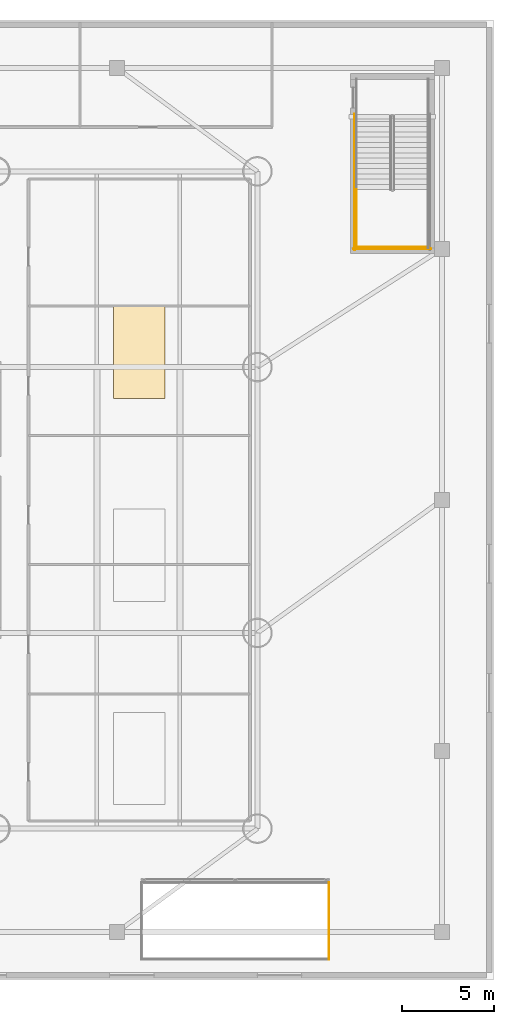
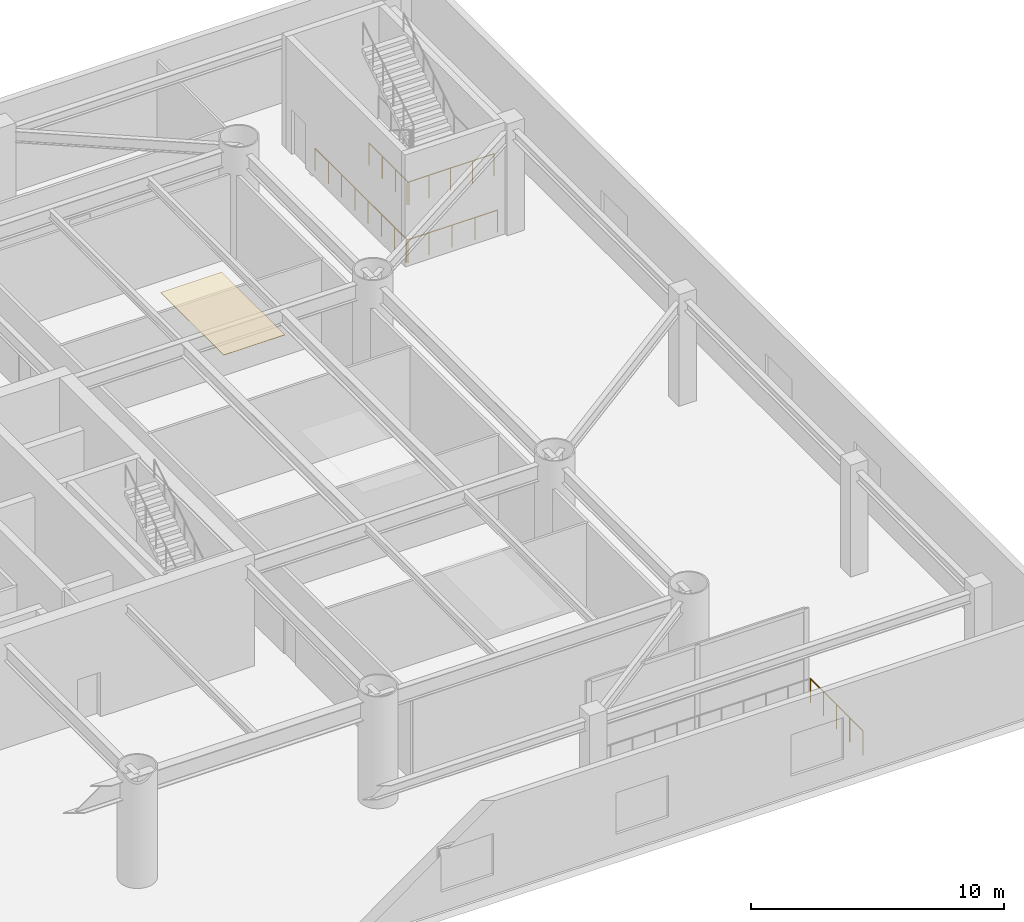
# One storey, part 15 of 16: 5 railings, 1 covering.
"""IFC4 building model written with IfcOpenShell, lengths in metres."""

from ifc_helpers import new_model, si_unit, direction, frame, origin, origin_2d, place, context, subcontext, project, spatial, polyline, circle, outline, extrude, material, layer, layer_set, type_object, element, save


model = new_model("IFC4")

# Units and contexts
model_context = context("Model", 3, precision=1e-05, world=origin(), true_north=direction((0.0, 1.0)))
body_context = subcontext(model_context, "Body", "Model", "MODEL_VIEW")
ifc_project = project(units=[si_unit("LENGTHUNIT", "METRE"), si_unit("AREAUNIT", "SQUARE_METRE"), si_unit("VOLUMEUNIT", "CUBIC_METRE"), si_unit("PLANEANGLEUNIT", "RADIAN"), si_unit("MASSUNIT", "GRAM", prefix="KILO")], contexts=[model_context])

# Site, building, storey
site_placement = place(None, origin())
site = spatial("IfcSite", under=ifc_project, at=site_placement, CompositionType="ELEMENT")
building_placement = place(site_placement, origin())
building = spatial("IfcBuilding", under=site, at=building_placement, Name="Bramvorn Convention Spire", CompositionType="ELEMENT")
storey_placement = place(building_placement, frame((0.0, 0.0, 30.0)))
storey = spatial("IfcBuildingStorey", under=building, at=storey_placement, Name="L05", CompositionType="ELEMENT", Elevation=30.0)

# Covering
ifc_material_1 = material(Name="Micro-Perforated Mineral-Fibre Acoustic Ceiling Tile", Category="gypsum")
ifc_layer = layer(ifc_material_1, 0.02001953125)
ifc_layer_set = layer_set([ifc_layer], Name="Micro-Perforated Mineral-Fibre Acoustic Ceiling Tile - CLG-ACOUSTIC-20")
covering_type = type_object("IfcCoveringType", Name="CLG-ACOUSTIC-20", PredefinedType="CEILING", material=ifc_layer_set)
covering_placement = place(storey_placement, frame((0.0, 0.0, 4.97998046875)))
element("IfcCovering", 1, at=covering_placement, inside=storey, type_object=covering_type, Name="L05 Seminar acoustic tile ceiling 3", PredefinedType="CEILING", context=body_context, shape_type="SweptSolid", body=[
    extrude(outline(polyline([(55.39990234375, 31.5), (58.199951171875, 31.5), (58.199951171875, 36.5), (55.39990234375, 36.5), (55.39990234375, 31.5)])), origin(), (0.0, 0.0, 1.0), 0.02001953125),
])

# Railings
ifc_material_2 = material(Name="Warm Bronze Perforated Metal & Glass Balustrade", Category="glass")
railing_type_1 = type_object("IfcRailingType", Name="RL-POD-BALUSTRADE-1200", PredefinedType="BALUSTRADE", material=ifc_material_2)
railing_1_placement = place(storey_placement, frame((67.080078125, 1.1201171875, 0.0)))
element("IfcRailing", 2, at=railing_1_placement, inside=storey, type_object=railing_type_1, Name="L05 SE void perimeter balustrade side 2", PredefinedType="BALUSTRADE", context=body_context, shape_type="SweptSolid", body=[
    extrude(circle(Radius=0.02392578125, at=origin_2d()), frame((0.0, 0.0, 1.17578125), z_axis=(0.0, 1.0, 0.0), x_axis=(-1.0, 0.0, 0.0)), (0.0, 0.0, 1.0), 4.159912109375),
    extrude(circle(Radius=0.02099609375, at=origin_2d()), origin(), (0.0, 0.0, 1.0), 1.15185546875),
    extrude(circle(Radius=0.02099609375, at=origin_2d()), frame((0.0, 1.0400390625, 0.0)), (0.0, 0.0, 1.0), 1.15185546875),
    extrude(circle(Radius=0.02099609375, at=origin_2d()), frame((0.0, 2.080078125, 0.0)), (0.0, 0.0, 1.0), 1.15185546875),
    extrude(circle(Radius=0.02099609375, at=origin_2d()), frame((0.0, 3.119873046875, 0.0)), (0.0, 0.0, 1.0), 1.15185546875),
    extrude(circle(Radius=0.02099609375, at=origin_2d()), frame((0.0, 4.159912109375, 0.0)), (0.0, 0.0, 1.0), 1.15185546875),
])
ifc_material_3 = material(Name="Painted Steel Balustrade & Guardrail", Category="steel")
railing_type_2 = type_object("IfcRailingType", Name="RL-STAIR-GUARD-1100", PredefinedType="GUARDRAIL", material=ifc_material_3)
railing_2_placement = place(storey_placement, frame((68.570068359375, 42.81005859375, 2.699951171875)))
element("IfcRailing", 3, at=railing_2_placement, inside=storey, type_object=railing_type_2, Name="L05 ST5 stair guard 3", PredefinedType="GUARDRAIL", context=body_context, shape_type="SweptSolid", body=[
    extrude(circle(Radius=0.02392578125, at=origin_2d()), frame((0.0, 0.0, 1.076171875), z_axis=(0.0, -1.0, 0.0), x_axis=(1.0, 0.0, 0.0)), (0.0, 0.0, 1.0), 3.16015625),
    extrude(circle(Radius=0.02099609375, at=origin_2d()), origin(), (0.0, 0.0, 1.0), 1.052001953125),
    extrude(circle(Radius=0.02099609375, at=origin_2d()), frame((0.0, -1.053466796875, 0.0)), (0.0, 0.0, 1.0), 1.052001953125),
    extrude(circle(Radius=0.02099609375, at=origin_2d()), frame((0.0, -2.106689453125, 0.0)), (0.0, 0.0, 1.0), 1.052001953125),
    extrude(circle(Radius=0.02099609375, at=origin_2d()), frame((0.0, -3.16015625, 0.0)), (0.0, 0.0, 1.0), 1.052001953125),
])
railing_3_placement = place(storey_placement, frame((68.52001953125, 39.699951171875, 2.699951171875)))
element("IfcRailing", 4, at=railing_3_placement, inside=storey, type_object=railing_type_2, Name="L05 ST5 stair guard 5", PredefinedType="GUARDRAIL", context=body_context, shape_type="SweptSolid", body=[
    extrude(circle(Radius=0.02392578125, at=origin_2d()), frame((0.0, 0.0, 1.076171875), z_axis=(1.0, 0.0, 0.0), x_axis=(0.0, 1.0, 0.0)), (0.0, 0.0, 1.0), 3.97998046875),
    extrude(circle(Radius=0.02099609375, at=origin_2d()), origin(), (0.0, 0.0, 1.0), 1.052001953125),
    extrude(circle(Radius=0.02099609375, at=origin_2d()), frame((0.9951171875, 0.0, 0.0)), (0.0, 0.0, 1.0), 1.052001953125),
    extrude(circle(Radius=0.02099609375, at=origin_2d()), frame((1.989990234375, 0.0, 0.0)), (0.0, 0.0, 1.0), 1.052001953125),
    extrude(circle(Radius=0.02099609375, at=origin_2d()), frame((2.98486328125, 0.0, 0.0)), (0.0, 0.0, 1.0), 1.052001953125),
    extrude(circle(Radius=0.02099609375, at=origin_2d()), frame((3.97998046875, 0.0, 0.0)), (0.0, 0.0, 1.0), 1.052001953125),
])
railing_4_placement = place(storey_placement, frame((68.469970703125, 46.89990234375, 0.0)))
element("IfcRailing", 5, at=railing_4_placement, inside=storey, type_object=railing_type_2, Name="L05 ST5 stair guard 10", PredefinedType="GUARDRAIL", context=body_context, shape_type="SweptSolid", body=[
    extrude(circle(Radius=0.02392578125, at=origin_2d()), frame((0.0, 0.0, 1.076171875), z_axis=(0.0, -1.0, 0.0), x_axis=(1.0, 0.0, 0.0)), (0.0, 0.0, 1.0), 7.349853515625),
    extrude(circle(Radius=0.02099609375, at=origin_2d()), origin(), (0.0, 0.0, 1.0), 1.052001953125),
    extrude(circle(Radius=0.02099609375, at=origin_2d()), frame((0.0, -1.050048828125, 0.0)), (0.0, 0.0, 1.0), 1.052001953125),
    extrude(circle(Radius=0.02099609375, at=origin_2d()), frame((0.0, -2.099853515625, 0.0)), (0.0, 0.0, 1.0), 1.052001953125),
    extrude(circle(Radius=0.02099609375, at=origin_2d()), frame((0.0, -3.14990234375, 0.0)), (0.0, 0.0, 1.0), 1.052001953125),
    extrude(circle(Radius=0.02099609375, at=origin_2d()), frame((0.0, -4.199951171875, 0.0)), (0.0, 0.0, 1.0), 1.052001953125),
    extrude(circle(Radius=0.02099609375, at=origin_2d()), frame((0.0, -5.25, 0.0)), (0.0, 0.0, 1.0), 1.052001953125),
    extrude(circle(Radius=0.02099609375, at=origin_2d()), frame((0.0, -6.2998046875, 0.0)), (0.0, 0.0, 1.0), 1.052001953125),
    extrude(circle(Radius=0.02099609375, at=origin_2d()), frame((0.0, -7.349853515625, 0.0)), (0.0, 0.0, 1.0), 1.052001953125),
])
railing_5_placement = place(storey_placement, frame((68.419921875, 39.60009765625, 0.0)))
element("IfcRailing", 6, at=railing_5_placement, inside=storey, type_object=railing_type_2, Name="L05 ST5 stair guard 12", PredefinedType="GUARDRAIL", context=body_context, shape_type="SweptSolid", body=[
    extrude(circle(Radius=0.02392578125, at=origin_2d()), frame((0.0, 0.0, 1.076171875), z_axis=(1.0, 0.0, 0.0), x_axis=(0.0, 1.0, 0.0)), (0.0, 0.0, 1.0), 4.18017578125),
    extrude(circle(Radius=0.02099609375, at=origin_2d()), origin(), (0.0, 0.0, 1.0), 1.052001953125),
    extrude(circle(Radius=0.02099609375, at=origin_2d()), frame((1.044921875, 0.0, 0.0)), (0.0, 0.0, 1.0), 1.052001953125),
    extrude(circle(Radius=0.02099609375, at=origin_2d()), frame((2.090087890625, 0.0, 0.0)), (0.0, 0.0, 1.0), 1.052001953125),
    extrude(circle(Radius=0.02099609375, at=origin_2d()), frame((3.13525390625, 0.0, 0.0)), (0.0, 0.0, 1.0), 1.052001953125),
    extrude(circle(Radius=0.02099609375, at=origin_2d()), frame((4.18017578125, 0.0, 0.0)), (0.0, 0.0, 1.0), 1.052001953125),
])

save(model, "model.ifc")
